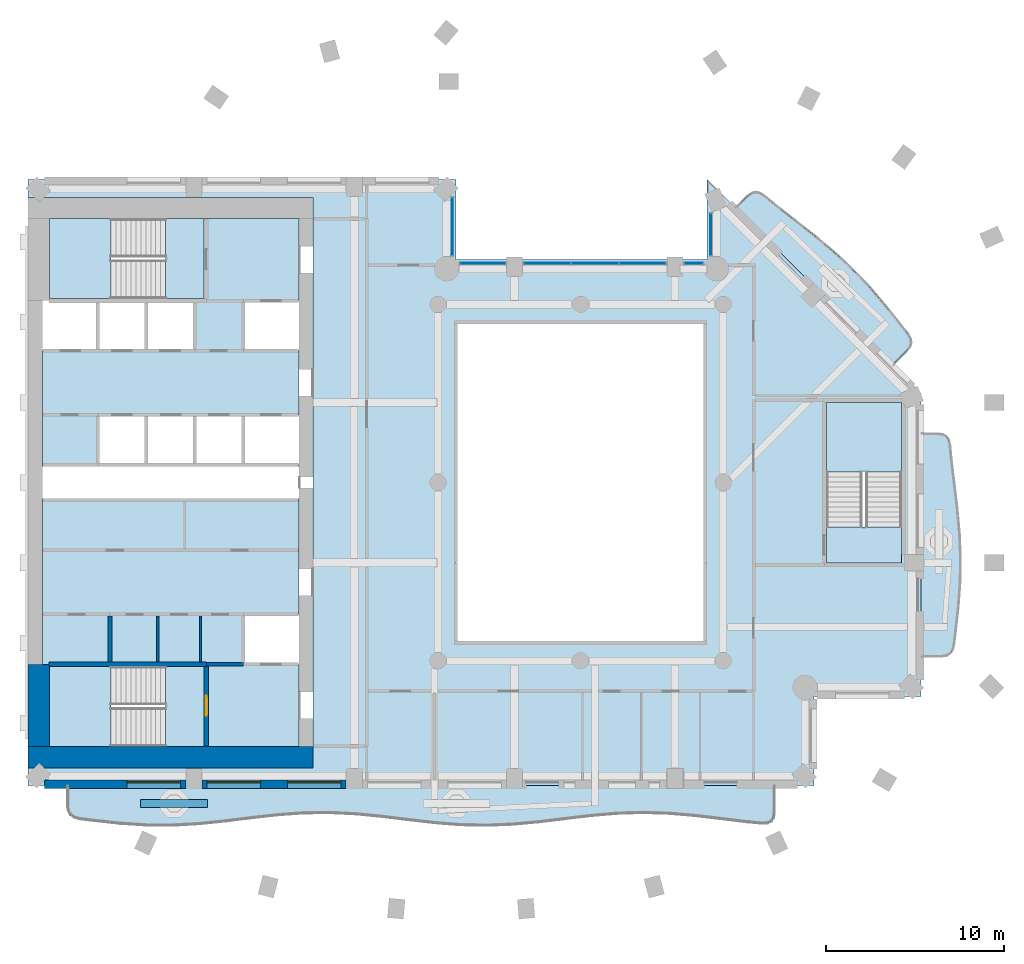
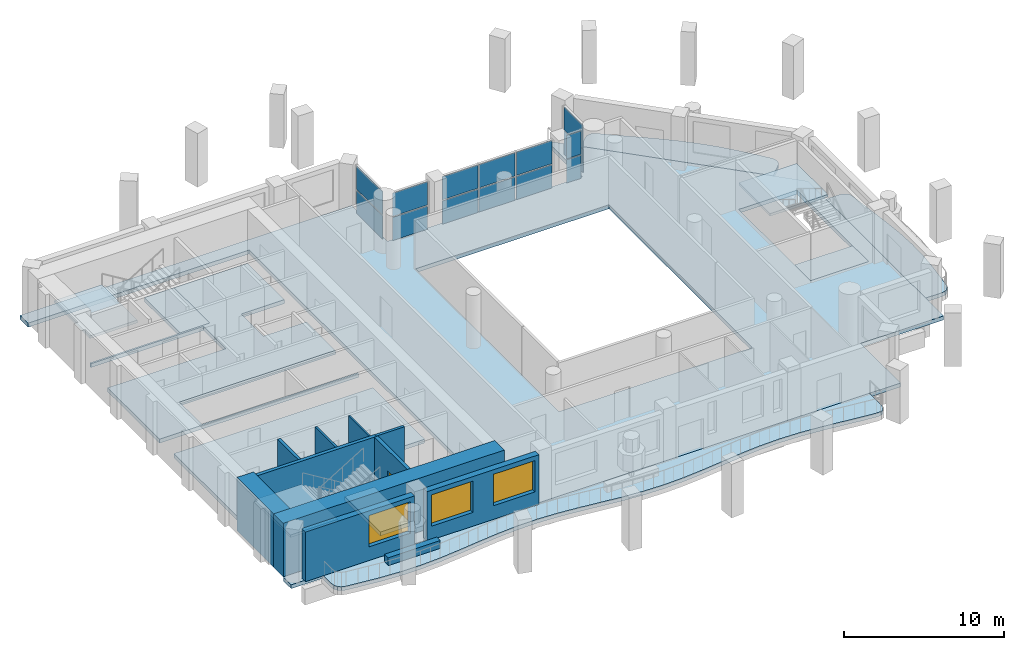
# One storey, part 3 of 15: 14 plates, 12 slabs, 11 walls, 3 windows, 1 door, 4 openings, 8 elements without a shape of their own.
"""IFC4 building model written with IfcOpenShell, lengths in metres."""

import ifcopenshell
import ifcopenshell.guid

model = None  # the IFC model being written
_history = None  # IfcOwnerHistory: only IFC2X3 demands one
_inside = {}  # id of a spatial element -> (the spatial element, [elements in it])
_under = {}  # id of a project, library or spatial element -> (it, [spatial elements below it])
_declared = {}  # id of a project -> (the project, [libraries it declares])
_typed = {}  # id of a type object -> (the type object, [elements of that type])
_made_of = {}  # id of a material, layer set ... -> (it, [elements and type objects made of it])


def new_model(schema):
    """Start an empty IFC model of exactly this schema.

    Asked for "IFC4X3", IfcOpenShell would pick the latest addendum, in which some entities
    have other attributes; the version numbers below select the first issue.
    IFC2X3 requires an IfcOwnerHistory on every rooted entity: one is made here for all.
    """
    global model, _history
    if schema == "IFC4X3":
        model = ifcopenshell.file(schema_version=(4, 3, 0, 0))
    else:
        model = ifcopenshell.file(schema=schema)
    _inside.clear()
    _under.clear()
    _declared.clear()
    _typed.clear()
    _made_of.clear()
    _history = None
    if model.schema == "IFC2X3":
        org = make("IfcOrganization", Name="unknown")
        user = make(
            "IfcPersonAndOrganization",
            ThePerson=make("IfcPerson", FamilyName="unknown"),
            TheOrganization=org,
        )
        app = make(
            "IfcApplication",
            ApplicationDeveloper=org,
            Version="unknown",
            ApplicationFullName="unknown",
            ApplicationIdentifier="unknown",
        )
        _history = make(
            "IfcOwnerHistory",
            OwningUser=user,
            OwningApplication=app,
            ChangeAction="ADDED",
            CreationDate=0,
        )
    return model


def make(cls, **values):
    """One entity of the class cls with the attributes given. An attribute that is None is left unset."""
    return model.create_entity(
        cls, **{name: value for name, value in values.items() if value is not None}
    )


def rooted(cls, **values):
    """An entity with a GlobalId (a new one), such as an element, a storey or a relation."""
    return make(cls, GlobalId=ifcopenshell.guid.new(), OwnerHistory=_history, **values)


def si_unit(unit_type, name, prefix=None):
    """IfcSIUnit, for example si_unit("LENGTHUNIT", "METRE", prefix="MILLI")."""
    return make("IfcSIUnit", UnitType=unit_type, Prefix=prefix, Name=name)


def assignment(units):
    """IfcUnitAssignment: the units of a project."""
    return None if units is None else make("IfcUnitAssignment", Units=units)


def point(xyz):
    """IfcCartesianPoint."""
    return None if xyz is None else make("IfcCartesianPoint", Coordinates=xyz)


def direction(xyz):
    """IfcDirection."""
    return None if xyz is None else make("IfcDirection", DirectionRatios=xyz)


def frame(location, z_axis=None, x_axis=None):
    """IfcAxis2Placement3D, a coordinate frame: its origin and axes. An axis left out is left unset."""
    return make(
        "IfcAxis2Placement3D",
        Location=point(location),
        Axis=direction(z_axis),
        RefDirection=direction(x_axis),
    )


def frame_2d(location, x_axis=None):
    """IfcAxis2Placement2D, a coordinate frame in the plane: its origin and x axis."""
    return make(
        "IfcAxis2Placement2D", Location=point(location), RefDirection=direction(x_axis)
    )


def origin():
    """The frame at (0, 0, 0) with its axes left unset."""
    return frame((0.0, 0.0, 0.0))


def origin_2d():
    """The frame at (0, 0) in the plane with its x axis left unset."""
    return frame_2d((0.0, 0.0))


def place(relative_to, where):
    """IfcLocalPlacement: puts the frame where relative to a parent placement (None: the world)."""
    return make(
        "IfcLocalPlacement", PlacementRelTo=relative_to, RelativePlacement=where
    )


def context(
    kind, dimensions, precision=None, world=None, true_north=None, identifier=None
):
    """IfcGeometricRepresentationContext, for example the 3D "Model" context."""
    return make(
        "IfcGeometricRepresentationContext",
        ContextIdentifier=identifier,
        ContextType=kind,
        CoordinateSpaceDimension=dimensions,
        Precision=precision,
        WorldCoordinateSystem=world,
        TrueNorth=true_north,
    )


def subcontext(parent, identifier, kind, view, scale=None):
    """IfcGeometricRepresentationSubContext, for example "Body" below "Model"."""
    return make(
        "IfcGeometricRepresentationSubContext",
        ContextIdentifier=identifier,
        ContextType=kind,
        ParentContext=parent,
        TargetScale=scale,
        TargetView=view,
    )


def project(units=None, contexts=None):
    """IfcProject with its units and contexts."""
    return rooted(
        "IfcProject",
        Name="project",
        RepresentationContexts=contexts,
        UnitsInContext=assignment(units),
    )


def spatial(cls, under=None, at=None, **own):
    """A site, building, storey or space (cls), placed at a placement, below another one or the project."""
    s = rooted(cls, ObjectPlacement=at, **own)
    if under is not None:
        _under.setdefault(under.id(), (under, []))[1].append(s)
    return s


def polyline(points):
    """IfcPolyline through the points."""
    return make("IfcPolyline", Points=[point(p) for p in points])


def profile(cls, at=None, kind="AREA", **sizes):
    """A parametric profile (cls). Its sizes go by their IFC names, for example OverallWidth=200.0."""
    return make(cls, ProfileType=kind, Position=at, **sizes)


def rectangle(**sizes):
    """IfcRectangleProfileDef."""
    return profile("IfcRectangleProfileDef", **sizes)


def outline(outer, holes=None, kind="AREA"):
    """IfcArbitraryClosedProfileDef: a profile drawn as a closed curve; with holes, ...WithVoids."""
    if holes is None:
        return make("IfcArbitraryClosedProfileDef", ProfileType=kind, OuterCurve=outer)
    return make(
        "IfcArbitraryProfileDefWithVoids",
        ProfileType=kind,
        OuterCurve=outer,
        InnerCurves=holes,
    )


def extrude(swept, where, along, depth):
    """IfcExtrudedAreaSolid: the profile swept, set in the frame where, extruded along a direction by depth."""
    return make(
        "IfcExtrudedAreaSolid",
        SweptArea=swept,
        Position=where,
        ExtrudedDirection=direction(along),
        Depth=depth,
    )


def shape(context_of_items, identifier, shape_type, items):
    """IfcShapeRepresentation: the items that make up one representation, for example the "Body"."""
    return make(
        "IfcShapeRepresentation",
        ContextOfItems=context_of_items,
        RepresentationIdentifier=identifier,
        RepresentationType=shape_type,
        Items=items,
    )


def material(Name=None, Category=None):
    """IfcMaterial."""
    return make("IfcMaterial", Name=Name, Category=Category)


def layer(
    of_material, thickness, ventilated=None, Name=None, Category=None, Priority=None
):
    """IfcMaterialLayer: one layer of a wall or slab, of a material (None: an air gap)."""
    return make(
        "IfcMaterialLayer",
        Material=of_material,
        LayerThickness=thickness,
        IsVentilated=ventilated,
        Name=Name,
        Category=Category,
        Priority=Priority,
    )


def layer_set(layers, Name=None):
    """IfcMaterialLayerSet."""
    return make("IfcMaterialLayerSet", MaterialLayers=layers, LayerSetName=Name)


def made_of(thing, what):
    """Note that an element or type object is made of a material, layer set ...; save() writes the relation."""
    if what is not None:
        _made_of.setdefault(what.id(), (what, []))[1].append(thing)
    return thing


def type_object(cls, material=None, **own):
    """A type object (cls), such as IfcWallType, which elements share."""
    return made_of(rooted(cls, **own), material)


def element(
    cls,
    number,
    at=None,
    inside=None,
    cuts=None,
    type_object=None,
    material=None,
    context=None,
    identifier="Body",
    shape_type=None,
    held_by="IfcProductDefinitionShape",
    body=None,
    shapes=None,
    **own,
):
    """One element of the class cls, such as IfcWall. Its Tag is "e" and its number.

    at: its placement. inside: the storey or other place that contains it. cuts: it is an
    opening in that element (IfcRelVoidsElement). A single representation is given by context,
    identifier, shape_type and body (its items); several are given by shapes. held_by: the class
    of the entity that holds the representations. save() writes the other relations.
    """
    e = rooted(cls, Tag="e%d" % number, ObjectPlacement=at, **own)
    if body is not None:
        shapes = [shape(context, identifier, shape_type, body)]
    if shapes is not None:
        e.Representation = make(held_by, Representations=shapes)
    if inside is not None:
        _inside.setdefault(inside.id(), (inside, []))[1].append(e)
    if cuts is not None:
        rooted(
            "IfcRelVoidsElement", RelatingBuildingElement=cuts, RelatedOpeningElement=e
        )
    if type_object is not None:
        _typed.setdefault(type_object.id(), (type_object, []))[1].append(e)
    return made_of(e, material)


def fill(opening, filler):
    """IfcRelFillsElement: the door or window that sits in an opening."""
    return rooted(
        "IfcRelFillsElement",
        RelatingOpeningElement=opening,
        RelatedBuildingElement=filler,
    )


def aggregate(whole, parts):
    """IfcRelAggregates: a whole, such as a stair, and the parts it consists of."""
    return rooted("IfcRelAggregates", RelatingObject=whole, RelatedObjects=parts)


def save(model, path):
    """Write the relations noted so far, then the file.

    IfcRelAggregates (storeys below a building ...), IfcRelContainedInSpatialStructure (elements
    in a storey), IfcRelDefinesByType, IfcRelAssociatesMaterial and IfcRelDeclares: one each for
    every whole, place, type object, material and project.
    """
    for whole, parts in _under.values():
        aggregate(whole, parts)
    for where, things in _inside.values():
        rooted(
            "IfcRelContainedInSpatialStructure",
            RelatedElements=things,
            RelatingStructure=where,
        )
    for kind, things in _typed.values():
        rooted("IfcRelDefinesByType", RelatedObjects=things, RelatingType=kind)
    for what, things in _made_of.values():
        rooted("IfcRelAssociatesMaterial", RelatedObjects=things, RelatingMaterial=what)
    for by, libraries in _declared.values():
        rooted("IfcRelDeclares", RelatingContext=by, RelatedDefinitions=libraries)
    model.write(path)


model = new_model("IFC4")

# Units and contexts
model_context = context("Model", 3, precision=1e-05, world=origin(), true_north=direction((0.0, 1.0)))
body_context = subcontext(model_context, "Body", "Model", "MODEL_VIEW")
ifc_project = project(units=[si_unit("LENGTHUNIT", "METRE"), si_unit("AREAUNIT", "SQUARE_METRE"), si_unit("VOLUMEUNIT", "CUBIC_METRE"), si_unit("PLANEANGLEUNIT", "RADIAN"), si_unit("MASSUNIT", "GRAM", prefix="KILO")], contexts=[model_context])

# Site, building, storey
site_placement = place(None, origin())
site = spatial("IfcSite", under=ifc_project, at=site_placement, CompositionType="ELEMENT")
building_placement = place(site_placement, origin())
building = spatial("IfcBuilding", under=site, at=building_placement, Name="Cypress Arch Tower", CompositionType="ELEMENT")
storey_placement = place(building_placement, frame((0.0, 0.0, 213.800048828125)))
storey = spatial("IfcBuildingStorey", under=building, at=storey_placement, Name="L47", CompositionType="ELEMENT", Elevation=213.800048828125)

# Slabs
ifc_material_1 = material(Name="Concrete C40/50", Category="concrete")
ifc_layer_1 = layer(ifc_material_1, 0.300048828125)
ifc_layer_set_1 = layer_set([ifc_layer_1], Name="Balcony slab BS300")
slab_type_1 = type_object("IfcSlabType", Name="Balcony slab BS300", PredefinedType="USERDEFINED", material=ifc_layer_set_1)
slab_1_placement = place(storey_placement, frame((0.0, 0.0, -0.300048828125)))
element("IfcSlab", 1, at=slab_1_placement, inside=storey, type_object=slab_type_1, Name="Balcony slab L47-B01", ObjectType="BALCONY SLAB", PredefinedType="USERDEFINED", context=body_context, shape_type="SweptSolid", body=[
    extrude(outline(polyline([(-27.75, -17.0), (-27.75, -18.10107421875), (-27.708740234375, -18.39697265625), (-27.5849609375, -18.620361328125), (-27.378662109375, -18.7705078125), (-27.090087890625, -18.847900390625), (-26.283447265625, -18.94775390625), (-24.816650390625, -19.10693359375), (-23.35009765625, -19.202392578125), (-21.88330078125, -19.209716796875), (-20.416748046875, -19.127197265625), (-18.949951171875, -18.975830078125), (-17.4833984375, -18.794677734375), (-16.0166015625, -18.6298828125), (-14.550048828125, -18.52392578125), (-13.083251953125, -18.50390625), (-11.61669921875, -18.57470703125), (-10.14990234375, -18.71875), (-8.683349609375, -18.898681640625), (-7.216552734375, -19.068359375), (-5.75, -19.184326171875), (-4.283447265625, -19.217041015625), (-2.816650390625, -19.15771484375), (-1.35009765625, -19.02197265625), (0.11669921875, -18.844482421875), (1.583251953125, -18.67041015625), (3.050048828125, -18.544921875), (4.5166015625, -18.5), (5.9833984375, -18.547119140625), (7.449951171875, -18.674072265625), (8.916748046875, -18.8486328125), (10.38330078125, -19.025634765625), (11.18994140625, -19.099609375), (11.478759765625, -19.084716796875), (11.68505859375, -18.979248046875), (11.808837890625, -18.783447265625), (11.85009765625, -18.497314453125), (11.85009765625, -17.0), (-27.75, -17.0)])), origin(), (0.0, 0.0, 1.0), 0.300048828125),
])
slab_2_placement = place(storey_placement, frame((0.0, 0.0, -0.300048828125)))
element("IfcSlab", 2, at=slab_2_placement, inside=storey, type_object=slab_type_1, Name="Balcony slab L47-B04", ObjectType="BALCONY SLAB", PredefinedType="USERDEFINED", context=body_context, shape_type="SweptSolid", body=[
    extrude(outline(polyline([(20.10009765625, -9.75), (21.236328125, -9.75), (21.5166015625, -9.7109375), (21.72802734375, -9.59375), (21.870361328125, -9.3984375), (21.943603515625, -9.125), (22.038330078125, -8.361083984375), (22.1923828125, -6.97216796875), (22.29248046875, -5.583251953125), (22.31591796875, -4.1943359375), (22.257080078125, -2.8056640625), (22.12939453125, -1.416748046875), (21.96240234375, -0.02783203125), (21.794677734375, 1.361083984375), (21.723388671875, 2.125), (21.658447265625, 2.3984375), (21.522705078125, 2.59375), (21.3154296875, 2.7109375), (21.037109375, 2.75), (20.10009765625, 2.75), (20.10009765625, -9.75)])), origin(), (0.0, 0.0, 1.0), 0.300048828125),
])
slab_3_placement = place(storey_placement, frame((0.0, 0.0, -0.300048828125)))
element("IfcSlab", 3, at=slab_3_placement, inside=storey, type_object=slab_type_1, Name="Balcony slab L47-B05", ObjectType="BALCONY SLAB", PredefinedType="USERDEFINED", context=body_context, shape_type="SweptSolid", body=[
    extrude(outline(polyline([(18.509033203125, 6.591064453125), (19.3134765625, 7.3955078125), (19.48388671875, 7.620849609375), (19.55029296875, 7.8525390625), (19.5126953125, 8.0908203125), (19.37158203125, 8.33544921875), (18.899658203125, 8.941162109375), (18.028564453125, 10.029541015625), (17.119873046875, 11.080322265625), (16.156982421875, 12.0771484375), (15.13623046875, 13.015869140625), (14.06689453125, 13.90625), (12.969482421875, 14.7685546875), (11.871337890625, 15.629638671875), (11.281494140625, 16.11767578125), (11.042724609375, 16.264892578125), (10.80908203125, 16.306640625), (10.580078125, 16.242919921875), (10.356201171875, 16.07421875), (9.69091796875, 15.408935546875), (18.509033203125, 6.591064453125)])), origin(), (0.0, 0.0, 1.0), 0.300048828125),
])
ifc_material_2 = material(Name="Concrete C40/50", Category="concrete")
ifc_layer_2 = layer(ifc_material_2, 0.300048828125)
ifc_layer_set_2 = layer_set([ifc_layer_2], Name="Core floor CF300")
slab_type_2 = type_object("IfcSlabType", Name="Core floor CF300", PredefinedType="FLOOR", material=ifc_layer_set_2)
slab_4_placement = place(storey_placement, frame((0.0, 0.0, -0.300048828125)))
element("IfcSlab", 4, at=slab_4_placement, inside=storey, type_object=slab_type_2, Name="Core floor", PredefinedType="FLOOR", context=body_context, shape_type="SweptSolid", body=[
    extrude(outline(polyline([(-28.800048828125, -10.199951171875), (-29.199951171875, -10.199951171875), (-29.199951171875, -0.89990234375), (-15.199951171875, -0.89990234375), (-14.800048828125, -0.89990234375), (-14.800048828125, -7.39990234375), (-15.199951171875, -7.39990234375), (-17.919921875, -7.39990234375), (-17.919921875, -10.199951171875), (-15.199951171875, -10.199951171875), (-14.800048828125, -10.199951171875), (-14.800048828125, -14.800048828125), (-15.199951171875, -14.800048828125), (-20.125, -14.800048828125), (-20.125, -10.324951171875), (-22.27490234375, -10.324951171875), (-28.800048828125, -10.324951171875), (-28.800048828125, -10.199951171875)])), origin(), (0.0, 0.0, 1.0), 0.300048828125),
])
slab_5_placement = place(storey_placement, frame((0.0, 0.0, -0.300048828125)))
element("IfcSlab", 5, at=slab_5_placement, inside=storey, type_object=slab_type_2, Name="Core floor", PredefinedType="FLOOR", context=body_context, shape_type="SweptSolid", body=[
    extrude(outline(polyline([(-22.27490234375, -10.324951171875), (-22.27490234375, -14.800048828125), (-20.125, -14.800048828125), (-20.125, -10.324951171875), (-22.27490234375, -10.324951171875)])), origin(), (0.0, 0.0, 1.0), 0.300048828125),
])
slab_6_placement = place(storey_placement, frame((0.0, 0.0, -0.300048828125)))
element("IfcSlab", 6, at=slab_6_placement, inside=storey, type_object=slab_type_2, Name="Core floor", PredefinedType="FLOOR", context=body_context, shape_type="SweptSolid", body=[
    extrude(outline(polyline([(-20.125, 14.800048828125), (-22.27490234375, 14.800048828125), (-22.27490234375, 10.324951171875), (-20.125, 10.324951171875), (-20.125, 14.800048828125)])), origin(), (0.0, 0.0, 1.0), 0.300048828125),
])
slab_7_placement = place(storey_placement, frame((0.0, 0.0, -0.300048828125)))
element("IfcSlab", 7, at=slab_7_placement, inside=storey, type_object=slab_type_2, Name="Stair floor landing", PredefinedType="FLOOR", context=body_context, shape_type="SweptSolid", body=[
    extrude(outline(polyline([(19.0, -4.5), (19.0, -2.5), (14.800048828125, -2.5), (14.800048828125, -4.5), (19.0, -4.5)])), origin(), (0.0, 0.0, 1.0), 0.300048828125),
])
slab_8_placement = place(storey_placement, frame((0.0, 0.0, -0.300048828125)))
element("IfcSlab", 8, at=slab_8_placement, inside=storey, type_object=slab_type_2, Name="Core floor", PredefinedType="FLOOR", context=body_context, shape_type="SweptSolid", body=[
    extrude(outline(polyline([(-20.639892578125, 7.39990234375), (-20.639892578125, 10.199951171875), (-23.360107421875, 10.199951171875), (-26.080078125, 10.199951171875), (-28.800048828125, 10.199951171875), (-28.800048828125, 10.324951171875), (-22.27490234375, 10.324951171875), (-20.125, 10.324951171875), (-20.125, 14.800048828125), (-15.199951171875, 14.800048828125), (-14.800048828125, 14.800048828125), (-14.800048828125, 10.199951171875), (-15.199951171875, 10.199951171875), (-17.919921875, 10.199951171875), (-17.919921875, 7.39990234375), (-15.199951171875, 7.39990234375), (-14.800048828125, 7.39990234375), (-14.800048828125, 3.800048828125), (-15.199951171875, 3.800048828125), (-17.919921875, 3.800048828125), (-20.639892578125, 3.800048828125), (-23.360107421875, 3.800048828125), (-26.080078125, 3.800048828125), (-26.080078125, 1.5), (-26.080078125, 1.5), (-26.080078125, 1.0), (-25.679931640625, 1.0), (-23.360107421875, 1.0), (-20.639892578125, 1.0), (-17.919921875, 1.0), (-15.199951171875, 1.0), (-14.800048828125, 1.0), (-14.800048828125, 0.89990234375), (-15.199951171875, 0.89990234375), (-25.679931640625, 0.89990234375), (-26.47998046875, 0.89990234375), (-29.199951171875, 0.89990234375), (-29.199951171875, 1.5), (-29.199951171875, 7.39990234375), (-26.080078125, 7.39990234375), (-23.360107421875, 7.39990234375), (-20.639892578125, 7.39990234375)])), origin(), (0.0, 0.0, 1.0), 0.300048828125),
])

# Curtain wall, plates
ifc_material_3 = material(Name="Anodised aluminium, bronze finish, clear laminated double glazing", Category="aluminium")
curtain_wall_type = type_object("IfcCurtainWallType", Name="Curtain wall CW7 slot glazing", PredefinedType="NOTDEFINED", material=ifc_material_3)
curtain_wall_1_placement = place(storey_placement, origin())
curtain_wall_1 = element("IfcCurtainWall", 9, at=curtain_wall_1_placement, inside=storey, type_object=curtain_wall_type, Name="Curtain wall L47 slot B06.0", PredefinedType="NOTDEFINED")
ifc_material_4 = material(Name="Clear laminated double glazing", Category="glass")
ifc_layer_3 = layer(ifc_material_4, 0.0439453125)
ifc_layer_set_3 = layer_set([ifc_layer_3], Name="Glass panel CW7 44")
plate_type = type_object("IfcPlateType", Name="Glass panel CW7 44", PredefinedType="CURTAIN_PANEL", material=ifc_layer_set_3)
plate_1_placement = place(storey_placement, frame((8.300048828125, 13.912353515625, 0.0849609375), z_axis=(0.0, 0.0, 1.0), x_axis=(0.0, -1.0, 0.0)))
plate_1 = element("IfcPlate", 10, at=plate_1_placement, type_object=plate_type, Name="CW7 panel 1.1", PredefinedType="CURTAIN_PANEL", context=body_context, shape_type="SweptSolid", body=[
    extrude(rectangle(XDim=2.345458984375, YDim=0.0439453125, at=origin_2d()), origin(), (0.0, 0.0, 1.0), 1.7724609375),
])
plate_2_placement = place(storey_placement, frame((8.300048828125, 13.912353515625, 1.9423828125), z_axis=(0.0, 0.0, 1.0), x_axis=(0.0, -1.0, 0.0)))
plate_2 = element("IfcPlate", 11, at=plate_2_placement, type_object=plate_type, Name="CW7 panel 1.2", PredefinedType="CURTAIN_PANEL", context=body_context, shape_type="SweptSolid", body=[
    extrude(rectangle(XDim=2.345458984375, YDim=0.0439453125, at=origin_2d()), origin(), (0.0, 0.0, 1.0), 1.7724609375),
])
aggregate(curtain_wall_1, [plate_1, plate_2])

curtain_wall_2_placement = place(storey_placement, origin())
curtain_wall_2 = element("IfcCurtainWall", 12, at=curtain_wall_2_placement, inside=storey, type_object=curtain_wall_type, Name="Curtain wall L47 slot B07.0", PredefinedType="NOTDEFINED")
plate_3_placement = place(storey_placement, frame((7.34765625, 12.300048828125, 0.0849609375), z_axis=(0.0, 0.0, 1.0), x_axis=(-1.0, 0.0, 0.0)))
plate_3 = element("IfcPlate", 13, at=plate_3_placement, type_object=plate_type, Name="CW7 panel 1.1", PredefinedType="CURTAIN_PANEL", context=body_context, shape_type="SweptSolid", body=[
    extrude(rectangle(XDim=1.025390625, YDim=0.0439453125, at=origin_2d()), origin(), (0.0, 0.0, 1.0), 1.7724609375),
])
plate_4_placement = place(storey_placement, frame((7.34765625, 12.300048828125, 1.9423828125), z_axis=(0.0, 0.0, 1.0), x_axis=(-1.0, 0.0, 0.0)))
plate_4 = element("IfcPlate", 14, at=plate_4_placement, type_object=plate_type, Name="CW7 panel 1.2", PredefinedType="CURTAIN_PANEL", context=body_context, shape_type="SweptSolid", body=[
    extrude(rectangle(XDim=1.025390625, YDim=0.0439453125, at=origin_2d()), origin(), (0.0, 0.0, 1.0), 1.7724609375),
])
aggregate(curtain_wall_2, [plate_3, plate_4])

curtain_wall_3_placement = place(storey_placement, origin())
curtain_wall_3 = element("IfcCurtainWall", 15, at=curtain_wall_3_placement, inside=storey, type_object=curtain_wall_type, Name="Curtain wall L47 slot B07.1", PredefinedType="NOTDEFINED")
plate_5_placement = place(storey_placement, frame((4.478759765625, 12.300048828125, 0.0849609375), z_axis=(0.0, 0.0, 1.0), x_axis=(-1.0, 0.0, 0.0)))
plate_5 = element("IfcPlate", 16, at=plate_5_placement, type_object=plate_type, Name="CW7 panel 1.1", PredefinedType="CURTAIN_PANEL", context=body_context, shape_type="SweptSolid", body=[
    extrude(rectangle(XDim=2.572509765625, YDim=0.0439453125, at=origin_2d()), origin(), (0.0, 0.0, 1.0), 1.7724609375),
])
plate_6_placement = place(storey_placement, frame((4.478759765625, 12.300048828125, 1.9423828125), z_axis=(0.0, 0.0, 1.0), x_axis=(-1.0, 0.0, 0.0)))
plate_6 = element("IfcPlate", 17, at=plate_6_placement, type_object=plate_type, Name="CW7 panel 1.2", PredefinedType="CURTAIN_PANEL", context=body_context, shape_type="SweptSolid", body=[
    extrude(rectangle(XDim=2.572509765625, YDim=0.0439453125, at=origin_2d()), origin(), (0.0, 0.0, 1.0), 1.7724609375),
])
plate_7_placement = place(storey_placement, frame((1.800048828125, 12.300048828125, 0.0849609375), z_axis=(0.0, 0.0, 1.0), x_axis=(-1.0, 0.0, 0.0)))
plate_7 = element("IfcPlate", 18, at=plate_7_placement, type_object=plate_type, Name="CW7 panel 2.1", PredefinedType="CURTAIN_PANEL", context=body_context, shape_type="SweptSolid", body=[
    extrude(rectangle(XDim=2.614990234375, YDim=0.0439453125, at=origin_2d()), origin(), (0.0, 0.0, 1.0), 1.7724609375),
])
plate_8_placement = place(storey_placement, frame((1.800048828125, 12.300048828125, 1.9423828125), z_axis=(0.0, 0.0, 1.0), x_axis=(-1.0, 0.0, 0.0)))
plate_8 = element("IfcPlate", 19, at=plate_8_placement, type_object=plate_type, Name="CW7 panel 2.2", PredefinedType="CURTAIN_PANEL", context=body_context, shape_type="SweptSolid", body=[
    extrude(rectangle(XDim=2.614990234375, YDim=0.0439453125, at=origin_2d()), origin(), (0.0, 0.0, 1.0), 1.7724609375),
])
plate_9_placement = place(storey_placement, frame((-0.878662109375, 12.300048828125, 0.0849609375), z_axis=(0.0, 0.0, 1.0), x_axis=(-1.0, 0.0, 0.0)))
plate_9 = element("IfcPlate", 20, at=plate_9_placement, type_object=plate_type, Name="CW7 panel 3.1", PredefinedType="CURTAIN_PANEL", context=body_context, shape_type="SweptSolid", body=[
    extrude(rectangle(XDim=2.572509765625, YDim=0.0439453125, at=origin_2d()), origin(), (0.0, 0.0, 1.0), 1.7724609375),
])
plate_10_placement = place(storey_placement, frame((-0.878662109375, 12.300048828125, 1.9423828125), z_axis=(0.0, 0.0, 1.0), x_axis=(-1.0, 0.0, 0.0)))
plate_10 = element("IfcPlate", 21, at=plate_10_placement, type_object=plate_type, Name="CW7 panel 3.2", PredefinedType="CURTAIN_PANEL", context=body_context, shape_type="SweptSolid", body=[
    extrude(rectangle(XDim=2.572509765625, YDim=0.0439453125, at=origin_2d()), origin(), (0.0, 0.0, 1.0), 1.7724609375),
])
aggregate(curtain_wall_3, [plate_5, plate_6, plate_7, plate_8, plate_9, plate_10])

curtain_wall_4_placement = place(storey_placement, origin())
curtain_wall_4 = element("IfcCurtainWall", 22, at=curtain_wall_4_placement, inside=storey, type_object=curtain_wall_type, Name="Curtain wall L47 slot B07.2", PredefinedType="NOTDEFINED")
plate_11_placement = place(storey_placement, frame((-4.497802734375, 12.300048828125, 0.0849609375), z_axis=(0.0, 0.0, 1.0), x_axis=(-1.0, 0.0, 0.0)))
plate_11 = element("IfcPlate", 23, at=plate_11_placement, type_object=plate_type, Name="CW7 panel 1.1", PredefinedType="CURTAIN_PANEL", context=body_context, shape_type="SweptSolid", body=[
    extrude(rectangle(XDim=2.525390625, YDim=0.0439453125, at=origin_2d()), origin(), (0.0, 0.0, 1.0), 1.7724609375),
])
plate_12_placement = place(storey_placement, frame((-4.497802734375, 12.300048828125, 1.9423828125), z_axis=(0.0, 0.0, 1.0), x_axis=(-1.0, 0.0, 0.0)))
plate_12 = element("IfcPlate", 24, at=plate_12_placement, type_object=plate_type, Name="CW7 panel 1.2", PredefinedType="CURTAIN_PANEL", context=body_context, shape_type="SweptSolid", body=[
    extrude(rectangle(XDim=2.525390625, YDim=0.0439453125, at=origin_2d()), origin(), (0.0, 0.0, 1.0), 1.7724609375),
])
aggregate(curtain_wall_4, [plate_11, plate_12])

curtain_wall_5_placement = place(storey_placement, origin())
curtain_wall_5 = element("IfcCurtainWall", 25, at=curtain_wall_5_placement, inside=storey, type_object=curtain_wall_type, Name="Curtain wall L47 slot B08.0", PredefinedType="NOTDEFINED")
plate_13_placement = place(storey_placement, frame((-6.199951171875, 14.359130859375, 0.0849609375), z_axis=(0.0, 0.0, 1.0), x_axis=(0.0, 1.0, 0.0)))
plate_13 = element("IfcPlate", 26, at=plate_13_placement, type_object=plate_type, Name="CW7 panel 1.1", PredefinedType="CURTAIN_PANEL", context=body_context, shape_type="SweptSolid", body=[
    extrude(rectangle(XDim=3.239013671875, YDim=0.0439453125, at=origin_2d()), origin(), (0.0, 0.0, 1.0), 1.7724609375),
])
plate_14_placement = place(storey_placement, frame((-6.199951171875, 14.359130859375, 1.9423828125), z_axis=(0.0, 0.0, 1.0), x_axis=(0.0, 1.0, 0.0)))
plate_14 = element("IfcPlate", 27, at=plate_14_placement, type_object=plate_type, Name="CW7 panel 1.2", PredefinedType="CURTAIN_PANEL", context=body_context, shape_type="SweptSolid", body=[
    extrude(rectangle(XDim=3.239013671875, YDim=0.0439453125, at=origin_2d()), origin(), (0.0, 0.0, 1.0), 1.7724609375),
])
aggregate(curtain_wall_5, [plate_13, plate_14])

# Slab
ifc_material_5 = material(Name="Concrete C40/50", Category="concrete")
ifc_layer_4 = layer(ifc_material_5, 0.300048828125)
ifc_layer_set_4 = layer_set([ifc_layer_4], Name="PT flat slab 300 Concrete C40/50")
slab_type_3 = type_object("IfcSlabType", Name="PT flat slab 300 Concrete C40/50", PredefinedType="FLOOR", material=ifc_layer_set_4)
slab_9_placement = place(storey_placement, frame((0.0, 0.0, -0.300048828125)))
element("IfcSlab", 28, at=slab_9_placement, inside=storey, type_object=slab_type_3, Name="Floor slab L47", PredefinedType="FLOOR", context=body_context, shape_type="SweptSolid", body=[
    extrude(outline(polyline([(-30.0, 17.0), (-6.0, 17.0), (-6.0, 12.5), (8.10009765625, 12.5), (8.10009765625, 17.0), (20.10009765625, 5.0), (20.10009765625, -12.0), (14.10009765625, -12.0), (14.10009765625, -17.0), (-30.0, -17.0), (-30.0, -16.0), (-14.0, -16.0), (-14.0, 16.0), (-30.0, 16.0), (-30.0, 17.0)]), holes=[polyline([(-6.0, -9.0), (8.0, -9.0), (8.0, 9.0), (-6.0, 9.0), (-6.0, -9.0)]), polyline([(14.800048828125, -4.5), (19.0, -4.5), (19.0, 4.5), (14.800048828125, 4.5), (14.800048828125, -4.5)])]), origin(), (0.0, 0.0, 1.0), 0.300048828125),
])

# Stair, slab
ifc_material_6 = material(Name="Concrete C40/50", Category="concrete")
stair_type_1 = type_object("IfcStairType", Name="Exit stair ES1708-215", PredefinedType="HALF_TURN_STAIR", material=ifc_material_6)
stair_1_placement = place(storey_placement, origin())
stair_1 = element("IfcStair", 29, at=stair_1_placement, inside=storey, type_object=stair_type_1, Name="L47 Exit stair A", PredefinedType="HALF_TURN_STAIR")
ifc_material_7 = material(Name="Concrete C40/50", Category="concrete")
ifc_layer_5 = layer(ifc_material_7, 0.199951171875)
ifc_layer_set_5 = layer_set([ifc_layer_5], Name="Stair landing SL200")
slab_type_4 = type_object("IfcSlabType", Name="Stair landing SL200", PredefinedType="LANDING", material=ifc_layer_set_5)
slab_10_placement = place(storey_placement, frame((0.0, 0.0, 1.849853515625)))
slab_10 = element("IfcSlab", 30, at=slab_10_placement, type_object=slab_type_4, Name="A landing 1", PredefinedType="LANDING", context=body_context, shape_type="SweptSolid", body=[
    extrude(outline(polyline([(-25.35498046875, -10.324951171875), (-28.800048828125, -10.324951171875), (-28.800048828125, -14.800048828125), (-25.35498046875, -14.800048828125), (-25.35498046875, -10.324951171875)])), origin(), (0.0, 0.0, 1.0), 0.2001953125),
])
aggregate(stair_1, [slab_10])

stair_2_placement = place(storey_placement, origin())
stair_2 = element("IfcStair", 31, at=stair_2_placement, inside=storey, type_object=stair_type_1, Name="L47 Exit stair B", PredefinedType="HALF_TURN_STAIR")
slab_11_placement = place(storey_placement, frame((0.0, 0.0, 1.849853515625)))
slab_11 = element("IfcSlab", 32, at=slab_11_placement, type_object=slab_type_4, Name="B landing 1", PredefinedType="LANDING", context=body_context, shape_type="SweptSolid", body=[
    extrude(outline(polyline([(-25.35498046875, 14.800048828125), (-28.800048828125, 14.800048828125), (-28.800048828125, 10.324951171875), (-25.35498046875, 10.324951171875), (-25.35498046875, 14.800048828125)])), origin(), (0.0, 0.0, 1.0), 0.2001953125),
])
aggregate(stair_2, [slab_11])

ifc_material_8 = material(Name="Concrete C40/50", Category="concrete")
stair_type_2 = type_object("IfcStairType", Name="Exit stair ES1708-200", PredefinedType="HALF_TURN_STAIR", material=ifc_material_8)
stair_3_placement = place(storey_placement, origin())
stair_3 = element("IfcStair", 33, at=stair_3_placement, inside=storey, type_object=stair_type_2, Name="L47 Exit stair C", PredefinedType="HALF_TURN_STAIR")
slab_12_placement = place(storey_placement, frame((0.0, 0.0, 1.849853515625)))
slab_12 = element("IfcSlab", 34, at=slab_12_placement, type_object=slab_type_4, Name="C landing 1", PredefinedType="LANDING", context=body_context, shape_type="SweptSolid", body=[
    extrude(outline(polyline([(19.0, 0.580078125), (19.0, 4.5), (14.800048828125, 4.5), (14.800048828125, 0.580078125), (19.0, 0.580078125)])), origin(), (0.0, 0.0, 1.0), 0.2001953125),
])
aggregate(stair_3, [slab_12])

# Wall
ifc_material_9 = material(Name="Concrete C40/50, waterproofed", Category="concrete")
ifc_layer_6 = layer(ifc_material_9, 0.449951171875)
ifc_layer_set_6 = layer_set([ifc_layer_6], Name="Balcony planter wall PW450")
wall_type_1 = type_object("IfcWallType", Name="Balcony planter wall PW450", PredefinedType="SOLIDWALL", material=ifc_layer_set_6)
wall_1_placement = place(storey_placement, frame((-23.68994140625, -18.0, 0.0), z_axis=(0.0, 0.0, 1.0), x_axis=(1.0, 0.0, 0.0)))
element("IfcWall", 35, at=wall_1_placement, inside=storey, type_object=wall_type_1, Name="Balcony planter wall L47-B01.1", PredefinedType="SOLIDWALL", context=body_context, shape_type="SweptSolid", body=[
    extrude(rectangle(XDim=3.760009765625, YDim=0.449951171875, at=frame_2d((1.8798828125, 0.0))), origin(), (0.0, 0.0, 1.0), 0.599853515625),
])

# Wall, opening, window
ifc_material_10 = material(Name="Brick (red buff blend)", Category="masonry")
ifc_layer_7 = layer(ifc_material_10, 0.449951171875)
ifc_layer_set_7 = layer_set([ifc_layer_7], Name="Brick pier and spandrel wall BW450")
wall_type_2 = type_object("IfcWallType", Name="Brick pier and spandrel wall BW450", PredefinedType="SOLIDWALL", material=ifc_layer_set_7)
wall_2_placement = place(storey_placement, frame((-29.063720703125, -16.925048828125, 0.0), z_axis=(0.0, 0.0, 1.0), x_axis=(1.0, 0.0, 0.0)))
wall_2 = element("IfcWall", 36, at=wall_2_placement, inside=storey, type_object=wall_type_2, Name="Brick wall L47 B01.0", PredefinedType="SOLIDWALL", context=body_context, shape_type="SweptSolid", body=[
    extrude(rectangle(XDim=7.913818359375, YDim=0.449951171875, at=frame_2d((3.95703125, 0.0))), origin(), (0.0, 0.0, 1.0), 3.800048828125),
])
opening_1_placement = place(wall_2_placement, frame((4.613525390625, 0.0, 1.050048828125)))
opening_1 = element("IfcOpeningElement", 37, at=opening_1_placement, cuts=wall_2, Name="Opening W300OD", PredefinedType="OPENING", context=body_context, shape_type="SweptSolid", body=[
    extrude(rectangle(XDim=3.0, YDim=2.39990234375, at=frame_2d((1.5, 1.199951171875))), frame((0.0, 0.23486328125, 0.0), z_axis=(0.0, -1.0, 0.0), x_axis=(1.0, 0.0, 0.0)), (0.0, 0.0, 1.0), 0.469970703125),
])
ifc_material_11 = material(Name="Anodised aluminium, bronze finish, laminated low-emissivity double glazing, large-missile impact rated", Category="aluminium")
window_type = type_object("IfcWindowType", Name="Window Office 3000x2400 debris-rated", PartitioningType="SINGLE_PANEL", PredefinedType="WINDOW", material=ifc_material_11)
window_1_placement = place(opening_1_placement, origin())
window_1 = element("IfcWindow", 38, at=window_1_placement, inside=storey, type_object=window_type, Name="Window L47 B01.0.2", OverallHeight=2.39990234375, OverallWidth=3.0, PartitioningType="SINGLE_PANEL", PredefinedType="WINDOW", context=body_context, shape_type="SweptSolid", body=[
    extrude(rectangle(XDim=3.0, YDim=2.39990234375, at=frame_2d((1.5, 1.199951171875))), frame((0.0, 0.135009765625, 0.0), z_axis=(0.0, -1.0, 0.0), x_axis=(1.0, 0.0, 0.0)), (0.0, 0.0, 1.0), 0.06005859375),
])
fill(opening_1, window_1)

# Wall, openings, windows
wall_3_placement = place(storey_placement, frame((-20.25, -16.925048828125, 0.0), z_axis=(0.0, 0.0, 1.0), x_axis=(1.0, 0.0, 0.0)))
wall_3 = element("IfcWall", 39, at=wall_3_placement, inside=storey, type_object=wall_type_2, Name="Brick wall L47 B01.1", PredefinedType="SOLIDWALL", context=body_context, shape_type="SweptSolid", body=[
    extrude(rectangle(XDim=8.10009765625, YDim=0.449951171875, at=frame_2d((4.050048828125, 0.0))), origin(), (0.0, 0.0, 1.0), 3.800048828125),
])
opening_2_placement = place(wall_3_placement, frame((0.300048828125, 0.0, 1.050048828125)))
opening_2 = element("IfcOpeningElement", 40, at=opening_2_placement, cuts=wall_3, Name="Opening W300OD", PredefinedType="OPENING", context=body_context, shape_type="SweptSolid", body=[
    extrude(rectangle(XDim=3.0, YDim=2.39990234375, at=frame_2d((1.5, 1.199951171875))), frame((0.0, 0.23486328125, 0.0), z_axis=(0.0, -1.0, 0.0), x_axis=(1.0, 0.0, 0.0)), (0.0, 0.0, 1.0), 0.469970703125),
])
opening_3_placement = place(wall_3_placement, frame((4.800048828125, 0.0, 1.050048828125)))
opening_3 = element("IfcOpeningElement", 41, at=opening_3_placement, cuts=wall_3, Name="Opening W300OD", PredefinedType="OPENING", context=body_context, shape_type="SweptSolid", body=[
    extrude(rectangle(XDim=3.0, YDim=2.39990234375, at=frame_2d((1.5, 1.199951171875))), frame((0.0, 0.23486328125, 0.0), z_axis=(0.0, -1.0, 0.0), x_axis=(1.0, 0.0, 0.0)), (0.0, 0.0, 1.0), 0.469970703125),
])
window_2_placement = place(opening_2_placement, origin())
window_2 = element("IfcWindow", 42, at=window_2_placement, inside=storey, type_object=window_type, Name="Window L47 B01.1.1", OverallHeight=2.39990234375, OverallWidth=3.0, PartitioningType="SINGLE_PANEL", PredefinedType="WINDOW", context=body_context, shape_type="SweptSolid", body=[
    extrude(rectangle(XDim=3.0, YDim=2.39990234375, at=frame_2d((1.5, 1.199951171875))), frame((0.0, 0.135009765625, 0.0), z_axis=(0.0, -1.0, 0.0), x_axis=(1.0, 0.0, 0.0)), (0.0, 0.0, 1.0), 0.06005859375),
])
fill(opening_2, window_2)
window_3_placement = place(opening_3_placement, origin())
window_3 = element("IfcWindow", 43, at=window_3_placement, inside=storey, type_object=window_type, Name="Window L47 B01.1.2", OverallHeight=2.39990234375, OverallWidth=3.0, PartitioningType="SINGLE_PANEL", PredefinedType="WINDOW", context=body_context, shape_type="SweptSolid", body=[
    extrude(rectangle(XDim=3.0, YDim=2.39990234375, at=frame_2d((1.5, 1.199951171875))), frame((0.0, 0.135009765625, 0.0), z_axis=(0.0, -1.0, 0.0), x_axis=(1.0, 0.0, 0.0)), (0.0, 0.0, 1.0), 0.06005859375),
])
fill(opening_3, window_3)

# Walls
ifc_material_12 = material(Name="Concrete C70/85", Category="concrete")
ifc_layer_8 = layer(ifc_material_12, 1.199951171875)
ifc_layer_set_8 = layer_set([ifc_layer_8], Name="Core wall CW1200 C70/85")
wall_type_3 = type_object("IfcWallType", Name="Core wall CW1200 C70/85", PredefinedType="SHEAR", material=ifc_layer_set_8)
wall_4_placement = place(storey_placement, frame((-30.0, -15.39990234375, 0.0), z_axis=(0.0, 0.0, 1.0), x_axis=(1.0, 0.0, 0.0)))
element("IfcWall", 44, at=wall_4_placement, inside=storey, type_object=wall_type_3, Name="Core wall", PredefinedType="SHEAR", context=body_context, shape_type="SweptSolid", body=[
    extrude(rectangle(XDim=16.0, YDim=1.199951171875, at=frame_2d((8.0, 0.0))), origin(), (0.0, 0.0, 1.0), 4.099853515625),
])
wall_5_placement = place(storey_placement, frame((-29.39990234375, -14.800048828125, 0.0), z_axis=(0.0, 0.0, 1.0), x_axis=(0.0, 1.0, 0.0)))
element("IfcWall", 45, at=wall_5_placement, inside=storey, type_object=wall_type_3, Name="Core wall", PredefinedType="SHEAR", context=body_context, shape_type="SweptSolid", body=[
    extrude(rectangle(XDim=4.60009765625, YDim=1.199951171875, at=frame_2d((2.300048828125, 0.0))), origin(), (0.0, 0.0, 1.0), 4.099853515625),
])
ifc_material_13 = material(Name="Concrete blockwork, plastered, rated", Category="masonry")
ifc_layer_9 = layer(ifc_material_13, 0.199951171875)
ifc_layer_set_9 = layer_set([ifc_layer_9], Name="Corridor wall FW200")
wall_type_4 = type_object("IfcWallType", Name="Corridor wall FW200", PredefinedType="PARTITIONING", material=ifc_layer_set_9)
wall_6_placement = place(storey_placement, frame((-20.0, -10.199951171875, 0.0), z_axis=(0.0, 0.0, 1.0), x_axis=(1.0, 0.0, 0.0)))
element("IfcWall", 46, at=wall_6_placement, inside=storey, type_object=wall_type_4, Name="Corridor wall", PredefinedType="PARTITIONING", context=body_context, shape_type="SweptSolid", body=[
    extrude(rectangle(XDim=2.080078125, YDim=0.199951171875, at=frame_2d((1.0400390625, 0.0))), origin(), (0.0, 0.0, 1.0), 3.800048828125),
])
ifc_material_14 = material(Name="Blockwork, plastered both sides", Category="masonry")
ifc_layer_10 = layer(ifc_material_14, 0.14990234375)
ifc_layer_set_10 = layer_set([ifc_layer_10], Name="Partition PW150")
wall_type_5 = type_object("IfcWallType", Name="Partition PW150", PredefinedType="PARTITIONING", material=ifc_layer_set_10)
wall_7_placement = place(storey_placement, frame((-22.719970703125, -10.074951171875, 0.0), z_axis=(0.0, 0.0, 1.0), x_axis=(0.0, 1.0, 0.0)))
element("IfcWall", 47, at=wall_7_placement, inside=storey, type_object=wall_type_5, Name="Partition", PredefinedType="PARTITIONING", context=body_context, shape_type="SweptSolid", body=[
    extrude(rectangle(XDim=2.574951171875, YDim=0.14990234375, at=frame_2d((1.28759765625, 0.0))), origin(), (0.0, 0.0, 1.0), 3.800048828125),
])
ifc_material_15 = material(Name="Reinforced blockwork, plastered, rated", Category="masonry")
ifc_layer_11 = layer(ifc_material_15, 0.199951171875)
ifc_layer_set_11 = layer_set([ifc_layer_11], Name="Plant and riser wall PL200")
wall_type_6 = type_object("IfcWallType", Name="Plant and riser wall PL200", PredefinedType="PARTITIONING", material=ifc_layer_set_11)
wall_8_placement = place(storey_placement, frame((-25.39990234375, -10.074951171875, 0.0), z_axis=(0.0, 0.0, 1.0), x_axis=(0.0, 1.0, 0.0)))
element("IfcWall", 48, at=wall_8_placement, inside=storey, type_object=wall_type_6, Name="Plant and riser wall", PredefinedType="PARTITIONING", context=body_context, shape_type="SweptSolid", body=[
    extrude(rectangle(XDim=2.574951171875, YDim=0.199951171875, at=frame_2d((1.28759765625, 0.0))), origin(), (0.0, 0.0, 1.0), 3.800048828125),
])
ifc_material_16 = material(Name="Concrete C50/60", Category="concrete")
ifc_layer_12 = layer(ifc_material_16, 0.25)
ifc_layer_set_12 = layer_set([ifc_layer_12], Name="Stair enclosure wall SW250")
wall_type_7 = type_object("IfcWallType", Name="Stair enclosure wall SW250", PredefinedType="SHEAR", material=ifc_layer_set_12)
wall_9_placement = place(storey_placement, frame((-28.81005859375, -10.199951171875, 0.0), z_axis=(0.0, 0.0, 1.0), x_axis=(1.0, 0.0, 0.0)))
element("IfcWall", 49, at=wall_9_placement, inside=storey, type_object=wall_type_7, Name="Stair enclosure wall", PredefinedType="SHEAR", context=body_context, shape_type="SweptSolid", body=[
    extrude(rectangle(XDim=8.81005859375, YDim=0.25, at=frame_2d((4.405029296875, 0.0))), origin(), (0.0, 0.0, 1.0), 3.800048828125),
])

# Wall, opening, door
wall_10_placement = place(storey_placement, frame((-20.0, -14.77001953125, 0.0), z_axis=(0.0, 0.0, 1.0), x_axis=(0.0, 1.0, 0.0)))
wall_10 = element("IfcWall", 50, at=wall_10_placement, inside=storey, type_object=wall_type_7, Name="Stair enclosure wall", PredefinedType="SHEAR", context=body_context, shape_type="SweptSolid", body=[
    extrude(rectangle(XDim=4.445068359375, YDim=0.25, at=frame_2d((2.22265625, 0.0))), origin(), (0.0, 0.0, 1.0), 3.800048828125),
])
opening_4_placement = place(wall_10_placement, frame((1.699951171875, 0.0, 0.0)))
opening_4 = element("IfcOpeningElement", 51, at=opening_4_placement, cuts=wall_10, Name="Opening D06", PredefinedType="OPENING", context=body_context, shape_type="SweptSolid", body=[
    extrude(rectangle(XDim=1.10009765625, YDim=2.199951171875, at=frame_2d((0.550048828125, 1.10009765625))), frame((0.0, 0.135009765625, 0.0), z_axis=(0.0, -1.0, 0.0), x_axis=(1.0, 0.0, 0.0)), (0.0, 0.0, 1.0), 0.27001953125),
])
ifc_material_17 = material(Name="Steel door, fire resisting, panic bar", Category="steel")
door_type = type_object("IfcDoorType", Name="Stair door D06 1100x2200", OperationType="SINGLE_SWING_LEFT", PredefinedType="DOOR", material=ifc_material_17)
door_placement = place(opening_4_placement, origin())
door = element("IfcDoor", 52, at=door_placement, inside=storey, type_object=door_type, Name="Stair door", OperationType="SINGLE_SWING_RIGHT", OverallHeight=2.199951171875, OverallWidth=1.10009765625, PredefinedType="DOOR", context=body_context, shape_type="SweptSolid", body=[
    extrude(rectangle(XDim=1.10009765625, YDim=2.199951171875, at=frame_2d((0.550048828125, 1.10009765625))), frame((0.0, 0.02490234375, 0.0), z_axis=(0.0, -1.0, 0.0), x_axis=(1.0, 0.0, 0.0)), (0.0, 0.0, 1.0), 0.050048828125),
])
fill(opening_4, door)

# Wall
ifc_material_18 = material(Name="Moisture resistant board on steel studs, tiled", Category="steel")
ifc_layer_13 = layer(ifc_material_18, 0.10009765625)
ifc_layer_set_13 = layer_set([ifc_layer_13], Name="Wet wall PW100")
wall_type_8 = type_object("IfcWallType", Name="Wet wall PW100", PredefinedType="PARTITIONING", material=ifc_layer_set_13)
wall_11_placement = place(storey_placement, frame((-20.320068359375, -10.074951171875, 0.0), z_axis=(0.0, 0.0, 1.0), x_axis=(0.0, 1.0, 0.0)))
element("IfcWall", 53, at=wall_11_placement, inside=storey, type_object=wall_type_8, Name="Wet wall", PredefinedType="PARTITIONING", context=body_context, shape_type="SweptSolid", body=[
    extrude(rectangle(XDim=2.574951171875, YDim=0.10009765625, at=frame_2d((1.28759765625, 0.0))), origin(), (0.0, 0.0, 1.0), 3.800048828125),
])

save(model, "model.ifc")
